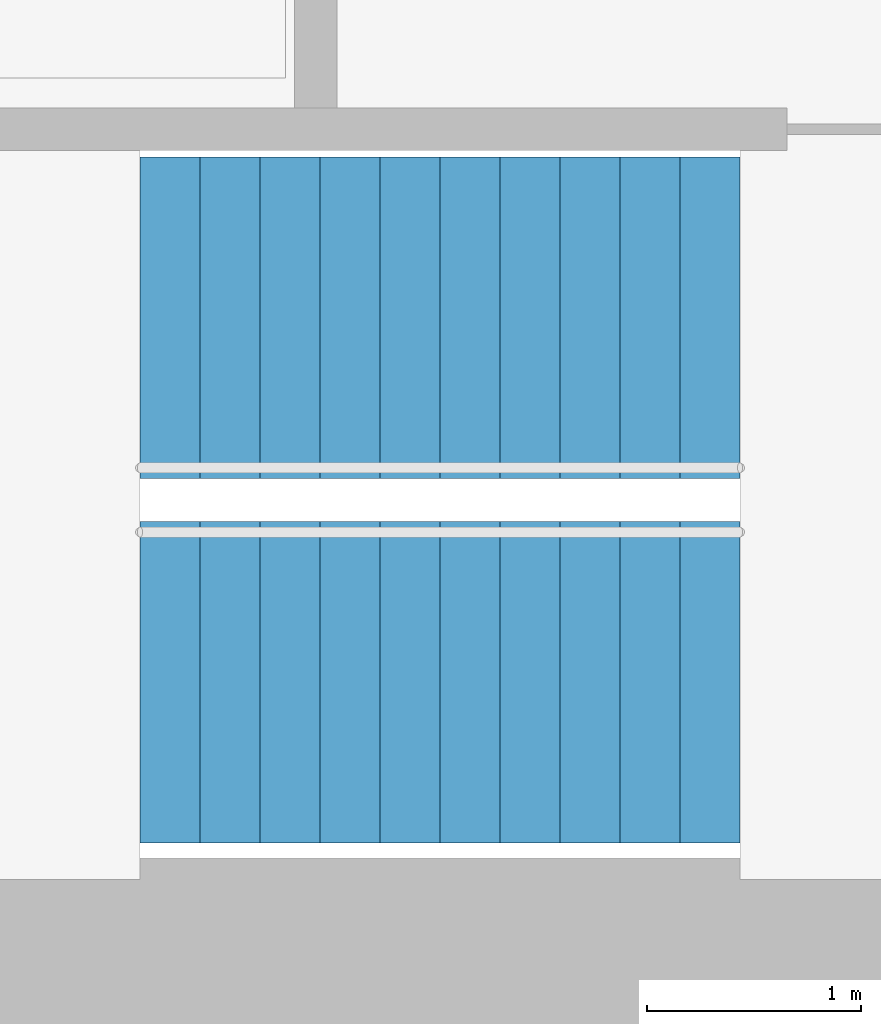
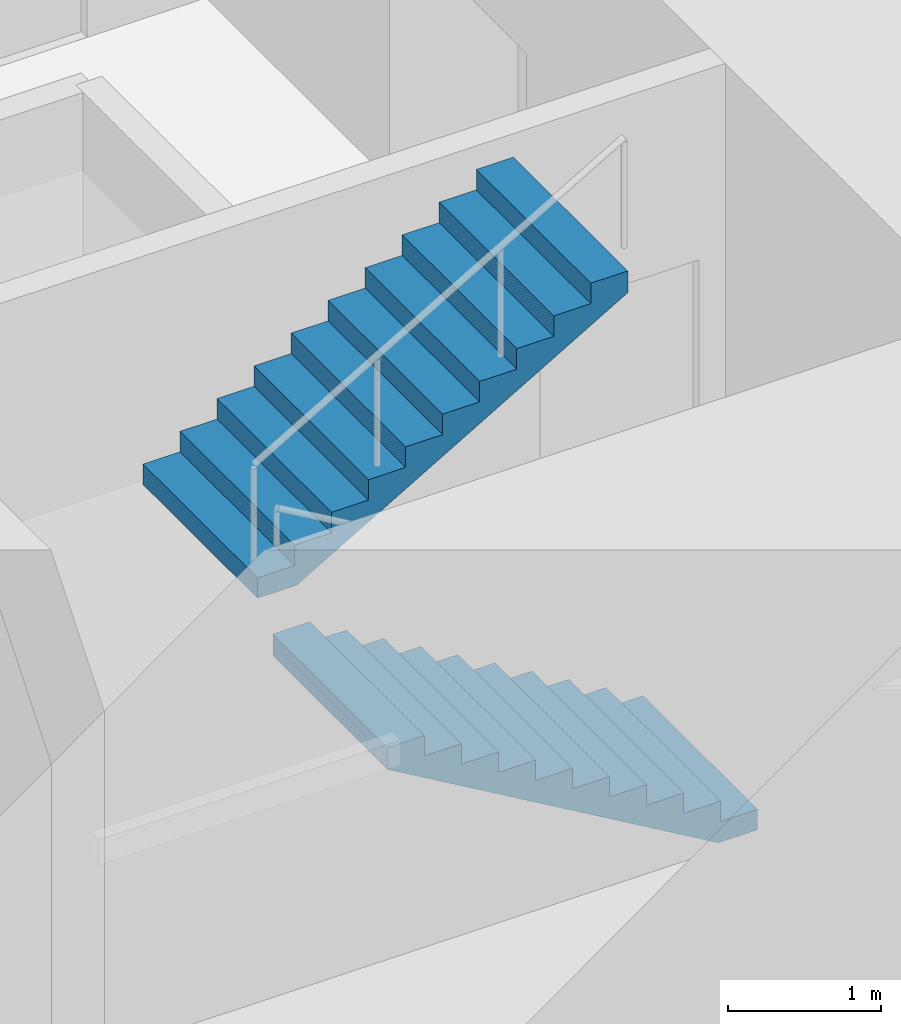
# One storey, part 14 of 15: 2 stair flights, 1 element without a shape of its own.
"""IFC4 building model written with IfcOpenShell, lengths in metres."""

from ifc_helpers import new_model, si_unit, direction, frame, origin, place, context, subcontext, project, spatial, triangles, material, type_object, element, aggregate, save


model = new_model("IFC4")

# Units and contexts
model_context = context("Model", 3, precision=1e-05, world=origin(), true_north=direction((0.0, 1.0)))
body_context = subcontext(model_context, "Body", "Model", "MODEL_VIEW")
ifc_project = project(units=[si_unit("LENGTHUNIT", "METRE"), si_unit("AREAUNIT", "SQUARE_METRE"), si_unit("VOLUMEUNIT", "CUBIC_METRE"), si_unit("PLANEANGLEUNIT", "RADIAN"), si_unit("MASSUNIT", "GRAM", prefix="KILO")], contexts=[model_context])

# Site, building, storey
site_placement = place(None, origin())
site = spatial("IfcSite", under=ifc_project, at=site_placement, CompositionType="ELEMENT")
building_placement = place(site_placement, origin())
building = spatial("IfcBuilding", under=site, at=building_placement, Name="Lantaw Convention Tower", CompositionType="ELEMENT")
storey_placement = place(building_placement, frame((0.0, 0.0, 80.199951171875)))
storey = spatial("IfcBuildingStorey", under=building, at=storey_placement, Name="L18", CompositionType="ELEMENT", Elevation=80.199951171875)

# Stair, stair flights
ifc_material = material(Name="Concrete C35/45", Category="concrete")
stair_type = type_object("IfcStairType", Name="Exit stair 1500 riser 163.64 in 2 flights", PredefinedType="HALF_TURN_STAIR", material=ifc_material)
stair_placement = place(storey_placement, origin())
stair = element("IfcStair", 1, at=stair_placement, inside=storey, type_object=stair_type, Name="Exit stair S2 L18", PredefinedType="HALF_TURN_STAIR")
stair_flight_type = type_object("IfcStairFlightType", Name="Stair flight 1500 riser 163.64", PredefinedType="STRAIGHT", material=ifc_material)
stair_flight_1_placement = place(storey_placement, frame((10.580078125, -5.97998046875, 0.0), z_axis=(0.0, 0.0, 1.0), x_axis=(-1.0, 0.0, 0.0)))
stair_flight_1 = element("IfcStairFlight", 2, at=stair_flight_1_placement, type_object=stair_flight_type, Name="S2 flight 1", NumberOfRisers=11, NumberOfTreads=10, PredefinedType="STRAIGHT", RiserHeight=0.163636364, TreadLength=0.28, context=body_context, shape_type="Tessellation", body=[
    triangles([(0.0, 0.75, 0.0), (0.0, 0.75, 0.163636364), (0.28, 0.75, 0.0), (0.28, 0.75, 0.163636364), (0.28, 0.75, 0.327272728), (0.2970904571225277, 0.75, 0.0), (0.2970904571225277, 0.75, 0.327272728), (0.56, 0.75, 0.1536484344906131), (0.56, 0.75, 0.327272728), (0.56, 0.75, 0.490909092), (0.8400000000000001, 0.75, 0.3172847984906131), (0.8400000000000001, 0.75, 0.490909092), (0.8400000000000001, 0.75, 0.654545456), (1.12, 0.75, 0.4809211624906131), (1.12, 0.75, 0.654545456), (1.12, 0.75, 0.8181818200000001), (1.4000000000000001, 0.75, 0.6445575264906132), (1.4000000000000001, 0.75, 0.8181818200000001), (1.4000000000000001, 0.75, 0.981818184), (1.6800000000000002, 0.75, 0.8081938904906131), (1.6800000000000002, 0.75, 0.981818184), (1.6800000000000002, 0.75, 1.145454548), (1.9600000000000002, 0.75, 0.9718302544906131), (1.9600000000000002, 0.75, 1.145454548), (1.9600000000000002, 0.75, 1.309090912), (2.24, 0.75, 1.135466618490613), (2.24, 0.75, 1.309090912), (2.24, 0.75, 1.472727276), (2.5200000000000005, 0.75, 1.2991029824906133), (2.5200000000000005, 0.75, 1.472727276), (2.5200000000000005, 0.75, 1.6363636400000001), (2.8000000000000003, 0.75, 1.462739346490613), (2.8000000000000003, 0.75, 1.6363636400000001), (0.0, -0.75, 0.0), (0.0, -0.75, 0.163636364), (0.28, -0.75, 0.0), (0.28, -0.75, 0.163636364), (0.28, -0.75, 0.327272728), (0.2970904571225277, -0.75, 0.0), (0.2970904571225277, -0.75, 0.327272728), (0.56, -0.75, 0.1536484344906131), (0.56, -0.75, 0.327272728), (0.56, -0.75, 0.490909092), (0.8400000000000001, -0.75, 0.3172847984906131), (0.8400000000000001, -0.75, 0.490909092), (0.8400000000000001, -0.75, 0.654545456), (1.12, -0.75, 0.4809211624906131), (1.12, -0.75, 0.654545456), (1.12, -0.75, 0.8181818200000001), (1.4000000000000001, -0.75, 0.6445575264906132), (1.4000000000000001, -0.75, 0.8181818200000001), (1.4000000000000001, -0.75, 0.981818184), (1.6800000000000002, -0.75, 0.8081938904906131), (1.6800000000000002, -0.75, 0.981818184), (1.6800000000000002, -0.75, 1.145454548), (1.9600000000000002, -0.75, 0.9718302544906131), (1.9600000000000002, -0.75, 1.145454548), (1.9600000000000002, -0.75, 1.309090912), (2.24, -0.75, 1.135466618490613), (2.24, -0.75, 1.309090912), (2.24, -0.75, 1.472727276), (2.5200000000000005, -0.75, 1.2991029824906133), (2.5200000000000005, -0.75, 1.472727276), (2.5200000000000005, -0.75, 1.6363636400000001), (2.8000000000000003, -0.75, 1.462739346490613), (2.8000000000000003, -0.75, 1.6363636400000001), (0.0, 0.15000000000000002, 0.163636364), (0.0, 0.15000000000000002, 0.0), (0.0, 0.0, 0.163636364), (0.0, 0.0, 0.0), (0.0, -0.15000000000000002, 0.163636364), (0.0, -0.15000000000000002, 0.0), (0.28, 0.15000000000000002, 0.327272728), (0.28, 0.15000000000000002, 0.163636364), (0.28, 0.0, 0.327272728), (0.28, 0.0, 0.163636364), (0.28, -0.15000000000000002, 0.327272728), (0.28, -0.15000000000000002, 0.163636364), (0.56, 0.15000000000000002, 0.490909092), (0.56, 0.15000000000000002, 0.327272728), (0.56, 0.0, 0.490909092), (0.56, 0.0, 0.327272728), (0.56, -0.15000000000000002, 0.490909092), (0.56, -0.15000000000000002, 0.327272728), (0.8400000000000001, 0.15000000000000002, 0.654545456), (0.8400000000000001, 0.15000000000000002, 0.490909092), (0.8400000000000001, 0.0, 0.654545456), (0.8400000000000001, 0.0, 0.490909092), (0.8400000000000001, -0.15000000000000002, 0.654545456), (0.8400000000000001, -0.15000000000000002, 0.490909092), (1.12, 0.15000000000000002, 0.8181818200000001), (1.12, 0.15000000000000002, 0.654545456), (1.12, 0.0, 0.8181818200000001), (1.12, 0.0, 0.654545456), (1.12, -0.15000000000000002, 0.8181818200000001), (1.12, -0.15000000000000002, 0.654545456), (1.4000000000000001, 0.15000000000000002, 0.981818184), (1.4000000000000001, 0.15000000000000002, 0.8181818200000001), (1.4000000000000001, 0.0, 0.981818184), (1.4000000000000001, 0.0, 0.8181818200000001), (1.4000000000000001, -0.15000000000000002, 0.981818184), (1.4000000000000001, -0.15000000000000002, 0.8181818200000001), (1.6800000000000002, 0.15000000000000002, 1.145454548), (1.6800000000000002, 0.15000000000000002, 0.981818184), (1.6800000000000002, 0.0, 1.145454548), (1.6800000000000002, 0.0, 0.981818184), (1.6800000000000002, -0.15000000000000002, 1.145454548), (1.6800000000000002, -0.15000000000000002, 0.981818184), (1.9600000000000002, 0.15000000000000002, 1.309090912), (1.9600000000000002, 0.15000000000000002, 1.145454548), (1.9600000000000002, 0.0, 1.309090912), (1.9600000000000002, 0.0, 1.145454548), (1.9600000000000002, -0.15000000000000002, 1.309090912), (1.9600000000000002, -0.15000000000000002, 1.145454548), (2.24, 0.15000000000000002, 1.472727276), (2.24, 0.15000000000000002, 1.309090912), (2.24, 0.0, 1.472727276), (2.24, 0.0, 1.309090912), (2.24, -0.15000000000000002, 1.472727276), (2.24, -0.15000000000000002, 1.309090912), (2.5200000000000005, 0.15000000000000002, 1.6363636400000001), (2.5200000000000005, 0.15000000000000002, 1.472727276), (2.5200000000000005, 0.0, 1.6363636400000001), (2.5200000000000005, 0.0, 1.472727276), (2.5200000000000005, -0.15000000000000002, 1.6363636400000001), (2.5200000000000005, -0.15000000000000002, 1.472727276), (0.2970904571225277, 0.15000000000000002, 0.327272728), (0.2970904571225277, 0.0, 0.327272728), (0.2970904571225277, -0.15000000000000002, 0.327272728), (2.8000000000000003, 0.15000000000000002, 1.6363636400000001), (2.8000000000000003, 0.0, 1.6363636400000001), (2.8000000000000003, -0.15000000000000002, 1.6363636400000001), (2.8000000000000003, 0.15000000000000002, 1.462739346490613), (2.8000000000000003, 0.0, 1.462739346490613), (2.8000000000000003, -0.15000000000000002, 1.462739346490613), (2.5200000000000005, 0.15000000000000002, 1.2991029824906133), (2.5200000000000005, 0.0, 1.2991029824906133), (2.5200000000000005, -0.15000000000000002, 1.2991029824906133), (2.24, 0.15000000000000002, 1.135466618490613), (2.24, 0.0, 1.135466618490613), (2.24, -0.15000000000000002, 1.135466618490613), (1.9600000000000002, 0.15000000000000002, 0.9718302544906131), (1.9600000000000002, 0.0, 0.9718302544906131), (1.9600000000000002, -0.15000000000000002, 0.9718302544906131), (1.6800000000000002, 0.15000000000000002, 0.8081938904906131), (1.6800000000000002, 0.0, 0.8081938904906131), (1.6800000000000002, -0.15000000000000002, 0.8081938904906131), (1.4000000000000001, 0.15000000000000002, 0.6445575264906132), (1.4000000000000001, 0.0, 0.6445575264906132), (1.4000000000000001, -0.15000000000000002, 0.6445575264906132), (1.12, 0.15000000000000002, 0.4809211624906131), (1.12, 0.0, 0.4809211624906131), (1.12, -0.15000000000000002, 0.4809211624906131), (0.8400000000000001, 0.15000000000000002, 0.3172847984906131), (0.8400000000000001, 0.0, 0.3172847984906131), (0.8400000000000001, -0.15000000000000002, 0.3172847984906131), (0.56, 0.15000000000000002, 0.1536484344906131), (0.56, 0.0, 0.1536484344906131), (0.56, -0.15000000000000002, 0.1536484344906131), (0.2970904571225277, 0.15000000000000002, 0.0), (0.2970904571225277, 0.0, 0.0), (0.2970904571225277, -0.15000000000000002, 0.0), (0.28, 0.15000000000000002, 0.0), (0.28, 0.0, 0.0), (0.28, -0.15000000000000002, 0.0)], [[1, 4, 3], [1, 2, 4], [3, 4, 6], [4, 7, 6], [4, 5, 7], [6, 9, 8], [6, 7, 9], [8, 9, 11], [9, 12, 11], [9, 10, 12], [11, 12, 14], [12, 15, 14], [12, 13, 15], [14, 15, 17], [15, 18, 17], [15, 16, 18], [17, 18, 20], [18, 21, 20], [18, 19, 21], [20, 21, 23], [21, 24, 23], [21, 22, 24], [23, 24, 26], [24, 27, 26], [24, 25, 27], [26, 27, 29], [27, 30, 29], [27, 28, 30], [29, 30, 32], [30, 33, 32], [30, 31, 33], [34, 36, 37], [34, 37, 35], [36, 39, 37], [37, 39, 40], [37, 40, 38], [39, 41, 42], [39, 42, 40], [41, 44, 42], [42, 44, 45], [42, 45, 43], [44, 47, 45], [45, 47, 48], [45, 48, 46], [47, 50, 48], [48, 50, 51], [48, 51, 49], [50, 53, 51], [51, 53, 54], [51, 54, 52], [53, 56, 54], [54, 56, 57], [54, 57, 55], [56, 59, 57], [57, 59, 60], [57, 60, 58], [59, 62, 60], [60, 62, 63], [60, 63, 61], [62, 65, 63], [63, 65, 66], [63, 66, 64], [1, 67, 2], [1, 68, 67], [68, 69, 67], [68, 70, 69], [70, 71, 69], [70, 72, 71], [72, 35, 71], [72, 34, 35], [4, 73, 5], [4, 74, 73], [74, 75, 73], [74, 76, 75], [76, 77, 75], [76, 78, 77], [78, 38, 77], [78, 37, 38], [9, 79, 10], [9, 80, 79], [80, 81, 79], [80, 82, 81], [82, 83, 81], [82, 84, 83], [84, 43, 83], [84, 42, 43], [12, 85, 13], [12, 86, 85], [86, 87, 85], [86, 88, 87], [88, 89, 87], [88, 90, 89], [90, 46, 89], [90, 45, 46], [15, 91, 16], [15, 92, 91], [92, 93, 91], [92, 94, 93], [94, 95, 93], [94, 96, 95], [96, 49, 95], [96, 48, 49], [18, 97, 19], [18, 98, 97], [98, 99, 97], [98, 100, 99], [100, 101, 99], [100, 102, 101], [102, 52, 101], [102, 51, 52], [21, 103, 22], [21, 104, 103], [104, 105, 103], [104, 106, 105], [106, 107, 105], [106, 108, 107], [108, 55, 107], [108, 54, 55], [24, 109, 25], [24, 110, 109], [110, 111, 109], [110, 112, 111], [112, 113, 111], [112, 114, 113], [114, 58, 113], [114, 57, 58], [27, 115, 28], [27, 116, 115], [116, 117, 115], [116, 118, 117], [118, 119, 117], [118, 120, 119], [120, 61, 119], [120, 60, 61], [30, 121, 31], [30, 122, 121], [122, 123, 121], [122, 124, 123], [124, 125, 123], [124, 126, 125], [126, 64, 125], [126, 63, 64], [2, 74, 4], [2, 67, 74], [67, 76, 74], [67, 69, 76], [69, 78, 76], [69, 71, 78], [71, 37, 78], [71, 35, 37], [5, 127, 7], [5, 73, 127], [73, 128, 127], [73, 75, 128], [75, 129, 128], [75, 77, 129], [77, 40, 129], [77, 38, 40], [7, 80, 9], [7, 127, 80], [127, 82, 80], [127, 128, 82], [128, 84, 82], [128, 129, 84], [129, 42, 84], [129, 40, 42], [10, 86, 12], [10, 79, 86], [79, 88, 86], [79, 81, 88], [81, 90, 88], [81, 83, 90], [83, 45, 90], [83, 43, 45], [13, 92, 15], [13, 85, 92], [85, 94, 92], [85, 87, 94], [87, 96, 94], [87, 89, 96], [89, 48, 96], [89, 46, 48], [16, 98, 18], [16, 91, 98], [91, 100, 98], [91, 93, 100], [93, 102, 100], [93, 95, 102], [95, 51, 102], [95, 49, 51], [19, 104, 21], [19, 97, 104], [97, 106, 104], [97, 99, 106], [99, 108, 106], [99, 101, 108], [101, 54, 108], [101, 52, 54], [22, 110, 24], [22, 103, 110], [103, 112, 110], [103, 105, 112], [105, 114, 112], [105, 107, 114], [107, 57, 114], [107, 55, 57], [25, 116, 27], [25, 109, 116], [109, 118, 116], [109, 111, 118], [111, 120, 118], [111, 113, 120], [113, 60, 120], [113, 58, 60], [28, 122, 30], [28, 115, 122], [115, 124, 122], [115, 117, 124], [117, 126, 124], [117, 119, 126], [119, 63, 126], [119, 61, 63], [31, 130, 33], [31, 121, 130], [121, 131, 130], [121, 123, 131], [123, 132, 131], [123, 125, 132], [125, 66, 132], [125, 64, 66], [33, 133, 32], [33, 130, 133], [130, 134, 133], [130, 131, 134], [131, 135, 134], [131, 132, 135], [132, 65, 135], [132, 66, 65], [32, 136, 29], [32, 133, 136], [133, 137, 136], [133, 134, 137], [134, 138, 137], [134, 135, 138], [135, 62, 138], [135, 65, 62], [29, 139, 26], [29, 136, 139], [136, 140, 139], [136, 137, 140], [137, 141, 140], [137, 138, 141], [138, 59, 141], [138, 62, 59], [26, 142, 23], [26, 139, 142], [139, 143, 142], [139, 140, 143], [140, 144, 143], [140, 141, 144], [141, 56, 144], [141, 59, 56], [23, 145, 20], [23, 142, 145], [142, 146, 145], [142, 143, 146], [143, 147, 146], [143, 144, 147], [144, 53, 147], [144, 56, 53], [20, 148, 17], [20, 145, 148], [145, 149, 148], [145, 146, 149], [146, 150, 149], [146, 147, 150], [147, 50, 150], [147, 53, 50], [17, 151, 14], [17, 148, 151], [148, 152, 151], [148, 149, 152], [149, 153, 152], [149, 150, 153], [150, 47, 153], [150, 50, 47], [14, 154, 11], [14, 151, 154], [151, 155, 154], [151, 152, 155], [152, 156, 155], [152, 153, 156], [153, 44, 156], [153, 47, 44], [11, 157, 8], [11, 154, 157], [154, 158, 157], [154, 155, 158], [155, 159, 158], [155, 156, 159], [156, 41, 159], [156, 44, 41], [8, 160, 6], [8, 157, 160], [157, 161, 160], [157, 158, 161], [158, 162, 161], [158, 159, 162], [159, 39, 162], [159, 41, 39], [6, 163, 3], [6, 160, 163], [160, 164, 163], [160, 161, 164], [161, 165, 164], [161, 162, 165], [162, 36, 165], [162, 39, 36], [3, 68, 1], [3, 163, 68], [163, 70, 68], [163, 164, 70], [164, 72, 70], [164, 165, 72], [165, 34, 72], [165, 36, 34]], closed=True),
])
stair_flight_2_placement = place(storey_placement, frame((7.780029296875, -4.280029296875, 1.800048828125), z_axis=(0.0, 0.0, 1.0), x_axis=(1.0, 0.0, 0.0)))
stair_flight_2 = element("IfcStairFlight", 3, at=stair_flight_2_placement, type_object=stair_flight_type, Name="S2 flight 2", NumberOfRisers=11, NumberOfTreads=10, PredefinedType="STRAIGHT", RiserHeight=0.163636364, TreadLength=0.28, context=body_context, shape_type="Tessellation", body=[
    triangles([(0.0, 0.75, 0.0), (0.0, 0.75, 0.163636364), (0.28, 0.75, 0.0), (0.28, 0.75, 0.163636364), (0.28, 0.75, 0.327272728), (0.2970904571225277, 0.75, 0.0), (0.2970904571225277, 0.75, 0.327272728), (0.56, 0.75, 0.1536484344906131), (0.56, 0.75, 0.327272728), (0.56, 0.75, 0.490909092), (0.8400000000000001, 0.75, 0.3172847984906131), (0.8400000000000001, 0.75, 0.490909092), (0.8400000000000001, 0.75, 0.654545456), (1.12, 0.75, 0.4809211624906131), (1.12, 0.75, 0.654545456), (1.12, 0.75, 0.8181818200000001), (1.4000000000000001, 0.75, 0.6445575264906132), (1.4000000000000001, 0.75, 0.8181818200000001), (1.4000000000000001, 0.75, 0.981818184), (1.6800000000000002, 0.75, 0.8081938904906131), (1.6800000000000002, 0.75, 0.981818184), (1.6800000000000002, 0.75, 1.145454548), (1.9600000000000002, 0.75, 0.9718302544906131), (1.9600000000000002, 0.75, 1.145454548), (1.9600000000000002, 0.75, 1.309090912), (2.24, 0.75, 1.135466618490613), (2.24, 0.75, 1.309090912), (2.24, 0.75, 1.472727276), (2.5200000000000005, 0.75, 1.2991029824906133), (2.5200000000000005, 0.75, 1.472727276), (2.5200000000000005, 0.75, 1.6363636400000001), (2.8000000000000003, 0.75, 1.462739346490613), (2.8000000000000003, 0.75, 1.6363636400000001), (0.0, -0.75, 0.0), (0.0, -0.75, 0.163636364), (0.28, -0.75, 0.0), (0.28, -0.75, 0.163636364), (0.28, -0.75, 0.327272728), (0.2970904571225277, -0.75, 0.0), (0.2970904571225277, -0.75, 0.327272728), (0.56, -0.75, 0.1536484344906131), (0.56, -0.75, 0.327272728), (0.56, -0.75, 0.490909092), (0.8400000000000001, -0.75, 0.3172847984906131), (0.8400000000000001, -0.75, 0.490909092), (0.8400000000000001, -0.75, 0.654545456), (1.12, -0.75, 0.4809211624906131), (1.12, -0.75, 0.654545456), (1.12, -0.75, 0.8181818200000001), (1.4000000000000001, -0.75, 0.6445575264906132), (1.4000000000000001, -0.75, 0.8181818200000001), (1.4000000000000001, -0.75, 0.981818184), (1.6800000000000002, -0.75, 0.8081938904906131), (1.6800000000000002, -0.75, 0.981818184), (1.6800000000000002, -0.75, 1.145454548), (1.9600000000000002, -0.75, 0.9718302544906131), (1.9600000000000002, -0.75, 1.145454548), (1.9600000000000002, -0.75, 1.309090912), (2.24, -0.75, 1.135466618490613), (2.24, -0.75, 1.309090912), (2.24, -0.75, 1.472727276), (2.5200000000000005, -0.75, 1.2991029824906133), (2.5200000000000005, -0.75, 1.472727276), (2.5200000000000005, -0.75, 1.6363636400000001), (2.8000000000000003, -0.75, 1.462739346490613), (2.8000000000000003, -0.75, 1.6363636400000001), (0.0, 0.15000000000000002, 0.163636364), (0.0, 0.15000000000000002, 0.0), (0.0, 0.0, 0.163636364), (0.0, 0.0, 0.0), (0.0, -0.15000000000000002, 0.163636364), (0.0, -0.15000000000000002, 0.0), (0.28, 0.15000000000000002, 0.327272728), (0.28, 0.15000000000000002, 0.163636364), (0.28, 0.0, 0.327272728), (0.28, 0.0, 0.163636364), (0.28, -0.15000000000000002, 0.327272728), (0.28, -0.15000000000000002, 0.163636364), (0.56, 0.15000000000000002, 0.490909092), (0.56, 0.15000000000000002, 0.327272728), (0.56, 0.0, 0.490909092), (0.56, 0.0, 0.327272728), (0.56, -0.15000000000000002, 0.490909092), (0.56, -0.15000000000000002, 0.327272728), (0.8400000000000001, 0.15000000000000002, 0.654545456), (0.8400000000000001, 0.15000000000000002, 0.490909092), (0.8400000000000001, 0.0, 0.654545456), (0.8400000000000001, 0.0, 0.490909092), (0.8400000000000001, -0.15000000000000002, 0.654545456), (0.8400000000000001, -0.15000000000000002, 0.490909092), (1.12, 0.15000000000000002, 0.8181818200000001), (1.12, 0.15000000000000002, 0.654545456), (1.12, 0.0, 0.8181818200000001), (1.12, 0.0, 0.654545456), (1.12, -0.15000000000000002, 0.8181818200000001), (1.12, -0.15000000000000002, 0.654545456), (1.4000000000000001, 0.15000000000000002, 0.981818184), (1.4000000000000001, 0.15000000000000002, 0.8181818200000001), (1.4000000000000001, 0.0, 0.981818184), (1.4000000000000001, 0.0, 0.8181818200000001), (1.4000000000000001, -0.15000000000000002, 0.981818184), (1.4000000000000001, -0.15000000000000002, 0.8181818200000001), (1.6800000000000002, 0.15000000000000002, 1.145454548), (1.6800000000000002, 0.15000000000000002, 0.981818184), (1.6800000000000002, 0.0, 1.145454548), (1.6800000000000002, 0.0, 0.981818184), (1.6800000000000002, -0.15000000000000002, 1.145454548), (1.6800000000000002, -0.15000000000000002, 0.981818184), (1.9600000000000002, 0.15000000000000002, 1.309090912), (1.9600000000000002, 0.15000000000000002, 1.145454548), (1.9600000000000002, 0.0, 1.309090912), (1.9600000000000002, 0.0, 1.145454548), (1.9600000000000002, -0.15000000000000002, 1.309090912), (1.9600000000000002, -0.15000000000000002, 1.145454548), (2.24, 0.15000000000000002, 1.472727276), (2.24, 0.15000000000000002, 1.309090912), (2.24, 0.0, 1.472727276), (2.24, 0.0, 1.309090912), (2.24, -0.15000000000000002, 1.472727276), (2.24, -0.15000000000000002, 1.309090912), (2.5200000000000005, 0.15000000000000002, 1.6363636400000001), (2.5200000000000005, 0.15000000000000002, 1.472727276), (2.5200000000000005, 0.0, 1.6363636400000001), (2.5200000000000005, 0.0, 1.472727276), (2.5200000000000005, -0.15000000000000002, 1.6363636400000001), (2.5200000000000005, -0.15000000000000002, 1.472727276), (0.2970904571225277, 0.15000000000000002, 0.327272728), (0.2970904571225277, 0.0, 0.327272728), (0.2970904571225277, -0.15000000000000002, 0.327272728), (2.8000000000000003, 0.15000000000000002, 1.6363636400000001), (2.8000000000000003, 0.0, 1.6363636400000001), (2.8000000000000003, -0.15000000000000002, 1.6363636400000001), (2.8000000000000003, 0.15000000000000002, 1.462739346490613), (2.8000000000000003, 0.0, 1.462739346490613), (2.8000000000000003, -0.15000000000000002, 1.462739346490613), (2.5200000000000005, 0.15000000000000002, 1.2991029824906133), (2.5200000000000005, 0.0, 1.2991029824906133), (2.5200000000000005, -0.15000000000000002, 1.2991029824906133), (2.24, 0.15000000000000002, 1.135466618490613), (2.24, 0.0, 1.135466618490613), (2.24, -0.15000000000000002, 1.135466618490613), (1.9600000000000002, 0.15000000000000002, 0.9718302544906131), (1.9600000000000002, 0.0, 0.9718302544906131), (1.9600000000000002, -0.15000000000000002, 0.9718302544906131), (1.6800000000000002, 0.15000000000000002, 0.8081938904906131), (1.6800000000000002, 0.0, 0.8081938904906131), (1.6800000000000002, -0.15000000000000002, 0.8081938904906131), (1.4000000000000001, 0.15000000000000002, 0.6445575264906132), (1.4000000000000001, 0.0, 0.6445575264906132), (1.4000000000000001, -0.15000000000000002, 0.6445575264906132), (1.12, 0.15000000000000002, 0.4809211624906131), (1.12, 0.0, 0.4809211624906131), (1.12, -0.15000000000000002, 0.4809211624906131), (0.8400000000000001, 0.15000000000000002, 0.3172847984906131), (0.8400000000000001, 0.0, 0.3172847984906131), (0.8400000000000001, -0.15000000000000002, 0.3172847984906131), (0.56, 0.15000000000000002, 0.1536484344906131), (0.56, 0.0, 0.1536484344906131), (0.56, -0.15000000000000002, 0.1536484344906131), (0.2970904571225277, 0.15000000000000002, 0.0), (0.2970904571225277, 0.0, 0.0), (0.2970904571225277, -0.15000000000000002, 0.0), (0.28, 0.15000000000000002, 0.0), (0.28, 0.0, 0.0), (0.28, -0.15000000000000002, 0.0)], [[1, 4, 3], [1, 2, 4], [3, 4, 6], [4, 7, 6], [4, 5, 7], [6, 9, 8], [6, 7, 9], [8, 9, 11], [9, 12, 11], [9, 10, 12], [11, 12, 14], [12, 15, 14], [12, 13, 15], [14, 15, 17], [15, 18, 17], [15, 16, 18], [17, 18, 20], [18, 21, 20], [18, 19, 21], [20, 21, 23], [21, 24, 23], [21, 22, 24], [23, 24, 26], [24, 27, 26], [24, 25, 27], [26, 27, 29], [27, 30, 29], [27, 28, 30], [29, 30, 32], [30, 33, 32], [30, 31, 33], [34, 36, 37], [34, 37, 35], [36, 39, 37], [37, 39, 40], [37, 40, 38], [39, 41, 42], [39, 42, 40], [41, 44, 42], [42, 44, 45], [42, 45, 43], [44, 47, 45], [45, 47, 48], [45, 48, 46], [47, 50, 48], [48, 50, 51], [48, 51, 49], [50, 53, 51], [51, 53, 54], [51, 54, 52], [53, 56, 54], [54, 56, 57], [54, 57, 55], [56, 59, 57], [57, 59, 60], [57, 60, 58], [59, 62, 60], [60, 62, 63], [60, 63, 61], [62, 65, 63], [63, 65, 66], [63, 66, 64], [1, 67, 2], [1, 68, 67], [68, 69, 67], [68, 70, 69], [70, 71, 69], [70, 72, 71], [72, 35, 71], [72, 34, 35], [4, 73, 5], [4, 74, 73], [74, 75, 73], [74, 76, 75], [76, 77, 75], [76, 78, 77], [78, 38, 77], [78, 37, 38], [9, 79, 10], [9, 80, 79], [80, 81, 79], [80, 82, 81], [82, 83, 81], [82, 84, 83], [84, 43, 83], [84, 42, 43], [12, 85, 13], [12, 86, 85], [86, 87, 85], [86, 88, 87], [88, 89, 87], [88, 90, 89], [90, 46, 89], [90, 45, 46], [15, 91, 16], [15, 92, 91], [92, 93, 91], [92, 94, 93], [94, 95, 93], [94, 96, 95], [96, 49, 95], [96, 48, 49], [18, 97, 19], [18, 98, 97], [98, 99, 97], [98, 100, 99], [100, 101, 99], [100, 102, 101], [102, 52, 101], [102, 51, 52], [21, 103, 22], [21, 104, 103], [104, 105, 103], [104, 106, 105], [106, 107, 105], [106, 108, 107], [108, 55, 107], [108, 54, 55], [24, 109, 25], [24, 110, 109], [110, 111, 109], [110, 112, 111], [112, 113, 111], [112, 114, 113], [114, 58, 113], [114, 57, 58], [27, 115, 28], [27, 116, 115], [116, 117, 115], [116, 118, 117], [118, 119, 117], [118, 120, 119], [120, 61, 119], [120, 60, 61], [30, 121, 31], [30, 122, 121], [122, 123, 121], [122, 124, 123], [124, 125, 123], [124, 126, 125], [126, 64, 125], [126, 63, 64], [2, 74, 4], [2, 67, 74], [67, 76, 74], [67, 69, 76], [69, 78, 76], [69, 71, 78], [71, 37, 78], [71, 35, 37], [5, 127, 7], [5, 73, 127], [73, 128, 127], [73, 75, 128], [75, 129, 128], [75, 77, 129], [77, 40, 129], [77, 38, 40], [7, 80, 9], [7, 127, 80], [127, 82, 80], [127, 128, 82], [128, 84, 82], [128, 129, 84], [129, 42, 84], [129, 40, 42], [10, 86, 12], [10, 79, 86], [79, 88, 86], [79, 81, 88], [81, 90, 88], [81, 83, 90], [83, 45, 90], [83, 43, 45], [13, 92, 15], [13, 85, 92], [85, 94, 92], [85, 87, 94], [87, 96, 94], [87, 89, 96], [89, 48, 96], [89, 46, 48], [16, 98, 18], [16, 91, 98], [91, 100, 98], [91, 93, 100], [93, 102, 100], [93, 95, 102], [95, 51, 102], [95, 49, 51], [19, 104, 21], [19, 97, 104], [97, 106, 104], [97, 99, 106], [99, 108, 106], [99, 101, 108], [101, 54, 108], [101, 52, 54], [22, 110, 24], [22, 103, 110], [103, 112, 110], [103, 105, 112], [105, 114, 112], [105, 107, 114], [107, 57, 114], [107, 55, 57], [25, 116, 27], [25, 109, 116], [109, 118, 116], [109, 111, 118], [111, 120, 118], [111, 113, 120], [113, 60, 120], [113, 58, 60], [28, 122, 30], [28, 115, 122], [115, 124, 122], [115, 117, 124], [117, 126, 124], [117, 119, 126], [119, 63, 126], [119, 61, 63], [31, 130, 33], [31, 121, 130], [121, 131, 130], [121, 123, 131], [123, 132, 131], [123, 125, 132], [125, 66, 132], [125, 64, 66], [33, 133, 32], [33, 130, 133], [130, 134, 133], [130, 131, 134], [131, 135, 134], [131, 132, 135], [132, 65, 135], [132, 66, 65], [32, 136, 29], [32, 133, 136], [133, 137, 136], [133, 134, 137], [134, 138, 137], [134, 135, 138], [135, 62, 138], [135, 65, 62], [29, 139, 26], [29, 136, 139], [136, 140, 139], [136, 137, 140], [137, 141, 140], [137, 138, 141], [138, 59, 141], [138, 62, 59], [26, 142, 23], [26, 139, 142], [139, 143, 142], [139, 140, 143], [140, 144, 143], [140, 141, 144], [141, 56, 144], [141, 59, 56], [23, 145, 20], [23, 142, 145], [142, 146, 145], [142, 143, 146], [143, 147, 146], [143, 144, 147], [144, 53, 147], [144, 56, 53], [20, 148, 17], [20, 145, 148], [145, 149, 148], [145, 146, 149], [146, 150, 149], [146, 147, 150], [147, 50, 150], [147, 53, 50], [17, 151, 14], [17, 148, 151], [148, 152, 151], [148, 149, 152], [149, 153, 152], [149, 150, 153], [150, 47, 153], [150, 50, 47], [14, 154, 11], [14, 151, 154], [151, 155, 154], [151, 152, 155], [152, 156, 155], [152, 153, 156], [153, 44, 156], [153, 47, 44], [11, 157, 8], [11, 154, 157], [154, 158, 157], [154, 155, 158], [155, 159, 158], [155, 156, 159], [156, 41, 159], [156, 44, 41], [8, 160, 6], [8, 157, 160], [157, 161, 160], [157, 158, 161], [158, 162, 161], [158, 159, 162], [159, 39, 162], [159, 41, 39], [6, 163, 3], [6, 160, 163], [160, 164, 163], [160, 161, 164], [161, 165, 164], [161, 162, 165], [162, 36, 165], [162, 39, 36], [3, 68, 1], [3, 163, 68], [163, 70, 68], [163, 164, 70], [164, 72, 70], [164, 165, 72], [165, 34, 72], [165, 36, 34]], closed=True),
])
aggregate(stair, [stair_flight_1, stair_flight_2])

save(model, "model.ifc")
